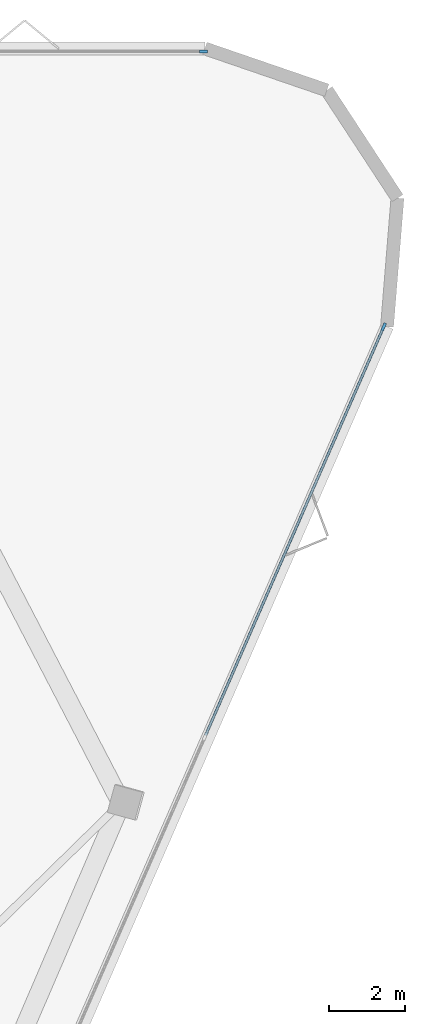
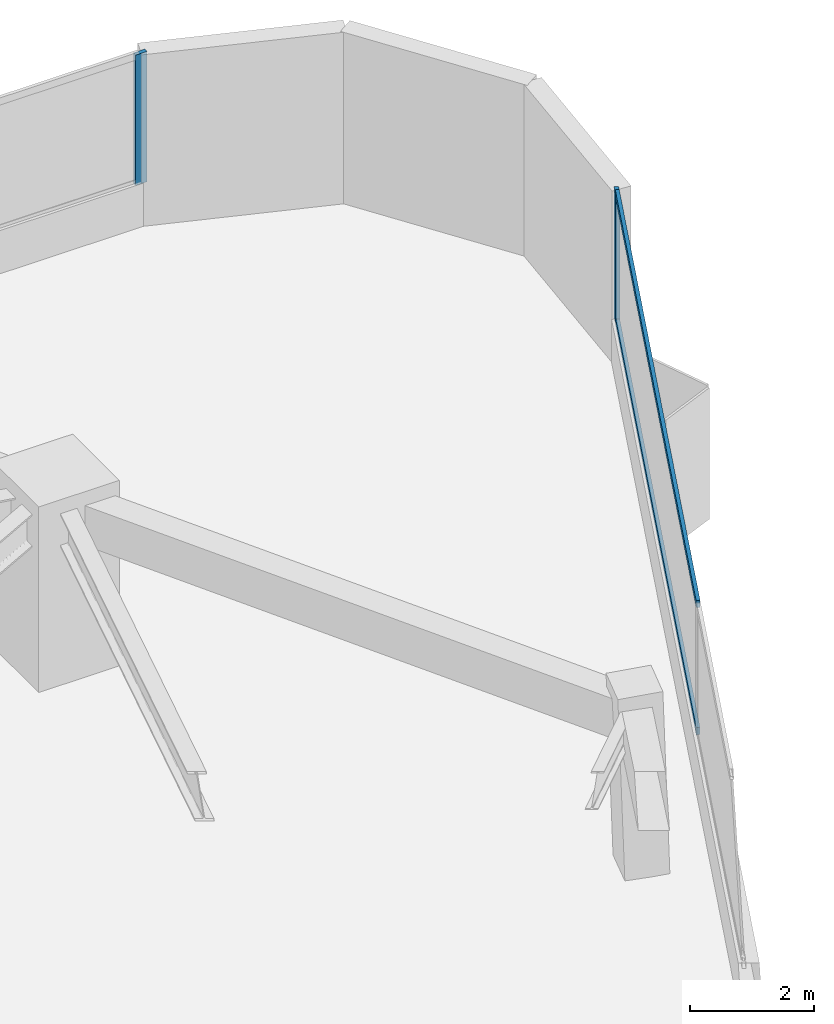
# One storey, part 7 of 12: 4 members, 2 elements without a shape of their own.
"""IFC4 building model written with IfcOpenShell, lengths in metres."""

from ifc_helpers import new_model, si_unit, direction, frame, origin, origin_2d, place, context, subcontext, project, spatial, rectangle, extrude, material, layer, layer_set, material_profile, profile_set, type_object, element, aggregate, save


model = new_model("IFC4")

# Units and contexts
model_context = context("Model", 3, precision=1e-05, world=origin(), true_north=direction((0.0, 1.0)))
body_context = subcontext(model_context, "Body", "Model", "MODEL_VIEW")
ifc_project = project(units=[si_unit("LENGTHUNIT", "METRE"), si_unit("AREAUNIT", "SQUARE_METRE"), si_unit("VOLUMEUNIT", "CUBIC_METRE"), si_unit("PLANEANGLEUNIT", "RADIAN"), si_unit("MASSUNIT", "GRAM", prefix="KILO")], contexts=[model_context])

# Site, building, storey
site_placement = place(None, origin())
site = spatial("IfcSite", under=ifc_project, at=site_placement, CompositionType="ELEMENT")
building_placement = place(site_placement, origin())
building = spatial("IfcBuilding", under=site, at=building_placement, Name="Talyreon Biosciences Tower", CompositionType="ELEMENT")
storey_placement = place(building_placement, frame((0.0, 0.0, 152.75)))
storey = spatial("IfcBuildingStorey", under=building, at=storey_placement, Name="L40", CompositionType="ELEMENT", Elevation=152.75)

# Curtain wall, member
ifc_material_1 = material(Name="Thermally broken aluminium and low-E glazing", Category="aluminium")
ifc_layer = layer(ifc_material_1, 0.205078125)
ifc_layer_set = layer_set([ifc_layer], Name="Thermally broken aluminium and low-E glazing")
curtain_wall_type = type_object("IfcCurtainWallType", Name="CurtainWall_SkyGardenLoggia", PredefinedType="NOTDEFINED", material=ifc_layer_set)
curtain_wall_1_placement = place(storey_placement, origin())
curtain_wall_1 = element("IfcCurtainWall", 1, at=curtain_wall_1_placement, inside=storey, type_object=curtain_wall_type, Name="L40 Unitised Curtain Wall FCW-L40-03", PredefinedType="NOTDEFINED")
ifc_material_2 = material(Name="Anodised thermally broken aluminium", Category="aluminium")
ifc_material_profile_1 = material_profile(ifc_material_2, rectangle(XDim=0.074951171875, YDim=0.2099609375, at=origin_2d()), Name="ALUM MULLION 75x210")
ifc_profile_set_1 = profile_set([ifc_material_profile_1], Name="Anodised thermally broken aluminium")
member_type_1 = type_object("IfcMemberType", Name="CWMullion_75x210", PredefinedType="MULLION", material=ifc_profile_set_1)
member_1_placement = place(storey_placement, frame((89.354736328125, 88.439453125, 0.81005859375), z_axis=(0.0, 0.0, 1.0), x_axis=(0.0, 1.0, 0.0)))
member_1 = element("IfcMember", 2, at=member_1_placement, type_object=member_type_1, Name="CW7 mullion 4", PredefinedType="MULLION", context=body_context, shape_type="SweptSolid", body=[
    extrude(rectangle(XDim=0.074951171875, YDim=0.2099609375, at=origin_2d()), origin(), (0.0, 0.0, 1.0), 2.56494140625),
])
aggregate(curtain_wall_1, [member_1])

# Curtain wall, members
curtain_wall_2_placement = place(storey_placement, origin())
curtain_wall_2 = element("IfcCurtainWall", 3, at=curtain_wall_2_placement, inside=storey, type_object=curtain_wall_type, Name="L40 Unitised Curtain Wall FCW-L40-07", PredefinedType="NOTDEFINED")
member_2_placement = place(storey_placement, frame((94.070556640625, 81.238525390625, 0.81005859375), z_axis=(0.0, 0.0, 1.0), x_axis=(0.916646919811, -0.399697916434, 0.0)))
member_2 = element("IfcMember", 4, at=member_2_placement, type_object=member_type_1, Name="CW7 mullion 1", PredefinedType="MULLION", context=body_context, shape_type="SweptSolid", body=[
    extrude(rectangle(XDim=0.074951171875, YDim=0.2099609375, at=origin_2d()), origin(), (0.0, 0.0, 1.0), 2.56494140625),
])
ifc_material_profile_2 = material_profile(ifc_material_2, rectangle(XDim=0.06494140625, YDim=0.139892578125, at=origin_2d()), Name="ALUM TRANSOM 65x140")
ifc_profile_set_2 = profile_set([ifc_material_profile_2], Name="Anodised thermally broken aluminium")
member_type_2 = type_object("IfcMemberType", Name="CWTransom_65x140", PredefinedType="USERDEFINED", material=ifc_profile_set_2)
member_3_placement = place(storey_placement, frame((94.0556640625, 81.2041015625, 0.842529296875), z_axis=(-0.399706304739, -0.916643262099, 0.0), x_axis=(0.916643262099, -0.399706304739, 0.0)))
member_3 = element("IfcMember", 5, at=member_3_placement, type_object=member_type_2, Name="CW7 transom 1.1", ObjectType="TRANSOM", PredefinedType="USERDEFINED", context=body_context, shape_type="SweptSolid", body=[
    extrude(rectangle(XDim=0.06494140625, YDim=0.139892578125, at=origin_2d()), origin(), (0.0, 0.0, 1.0), 11.61865234375),
])
member_4_placement = place(storey_placement, frame((94.0556640625, 81.2041015625, 3.342529296875), z_axis=(-0.399706304739, -0.916643262099, 0.0), x_axis=(0.916643262099, -0.399706304739, 0.0)))
member_4 = element("IfcMember", 6, at=member_4_placement, type_object=member_type_2, Name="CW7 transom 1.2", ObjectType="TRANSOM", PredefinedType="USERDEFINED", context=body_context, shape_type="SweptSolid", body=[
    extrude(rectangle(XDim=0.06494140625, YDim=0.139892578125, at=origin_2d()), origin(), (0.0, 0.0, 1.0), 11.61865234375),
])
aggregate(curtain_wall_2, [member_2, member_3, member_4])

save(model, "model.ifc")
